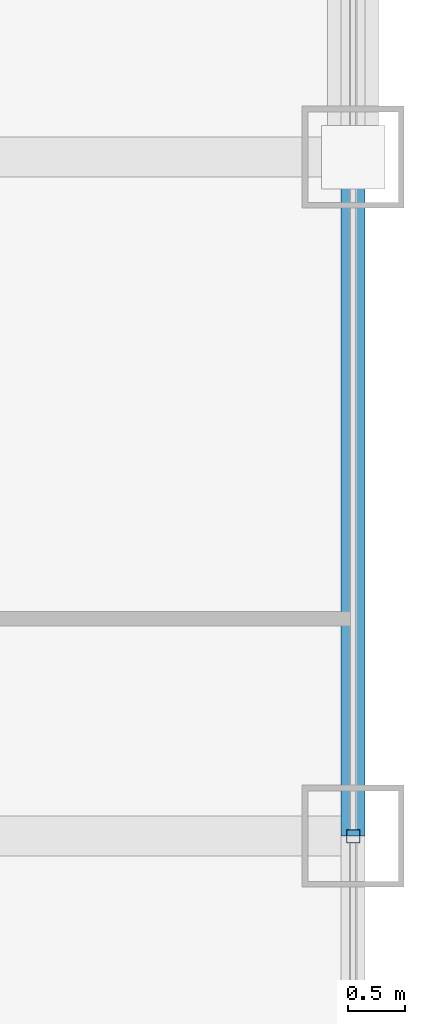
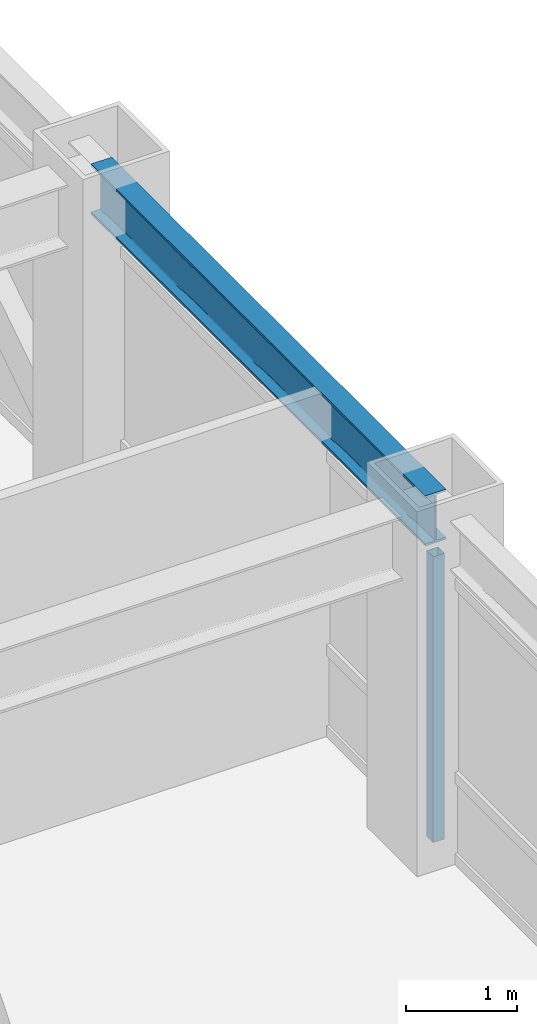
# One storey, part 10 of 27: 1 beam, 1 member, 1 element without a shape of its own.
"""IFC4 building model written with IfcOpenShell, lengths in metres."""

import ifcopenshell
import ifcopenshell.guid

model = None  # the IFC model being written
_history = None  # IfcOwnerHistory: only IFC2X3 demands one
_inside = {}  # id of a spatial element -> (the spatial element, [elements in it])
_under = {}  # id of a project, library or spatial element -> (it, [spatial elements below it])
_declared = {}  # id of a project -> (the project, [libraries it declares])
_typed = {}  # id of a type object -> (the type object, [elements of that type])
_made_of = {}  # id of a material, layer set ... -> (it, [elements and type objects made of it])


def new_model(schema):
    """Start an empty IFC model of exactly this schema.

    Asked for "IFC4X3", IfcOpenShell would pick the latest addendum, in which some entities
    have other attributes; the version numbers below select the first issue.
    IFC2X3 requires an IfcOwnerHistory on every rooted entity: one is made here for all.
    """
    global model, _history
    if schema == "IFC4X3":
        model = ifcopenshell.file(schema_version=(4, 3, 0, 0))
    else:
        model = ifcopenshell.file(schema=schema)
    _inside.clear()
    _under.clear()
    _declared.clear()
    _typed.clear()
    _made_of.clear()
    _history = None
    if model.schema == "IFC2X3":
        org = make("IfcOrganization", Name="unknown")
        user = make(
            "IfcPersonAndOrganization",
            ThePerson=make("IfcPerson", FamilyName="unknown"),
            TheOrganization=org,
        )
        app = make(
            "IfcApplication",
            ApplicationDeveloper=org,
            Version="unknown",
            ApplicationFullName="unknown",
            ApplicationIdentifier="unknown",
        )
        _history = make(
            "IfcOwnerHistory",
            OwningUser=user,
            OwningApplication=app,
            ChangeAction="ADDED",
            CreationDate=0,
        )
    return model


def make(cls, **values):
    """One entity of the class cls with the attributes given. An attribute that is None is left unset."""
    return model.create_entity(
        cls, **{name: value for name, value in values.items() if value is not None}
    )


def rooted(cls, **values):
    """An entity with a GlobalId (a new one), such as an element, a storey or a relation."""
    return make(cls, GlobalId=ifcopenshell.guid.new(), OwnerHistory=_history, **values)


def si_unit(unit_type, name, prefix=None):
    """IfcSIUnit, for example si_unit("LENGTHUNIT", "METRE", prefix="MILLI")."""
    return make("IfcSIUnit", UnitType=unit_type, Prefix=prefix, Name=name)


def assignment(units):
    """IfcUnitAssignment: the units of a project."""
    return None if units is None else make("IfcUnitAssignment", Units=units)


def point(xyz):
    """IfcCartesianPoint."""
    return None if xyz is None else make("IfcCartesianPoint", Coordinates=xyz)


def direction(xyz):
    """IfcDirection."""
    return None if xyz is None else make("IfcDirection", DirectionRatios=xyz)


def frame(location, z_axis=None, x_axis=None):
    """IfcAxis2Placement3D, a coordinate frame: its origin and axes. An axis left out is left unset."""
    return make(
        "IfcAxis2Placement3D",
        Location=point(location),
        Axis=direction(z_axis),
        RefDirection=direction(x_axis),
    )


def frame_2d(location, x_axis=None):
    """IfcAxis2Placement2D, a coordinate frame in the plane: its origin and x axis."""
    return make(
        "IfcAxis2Placement2D", Location=point(location), RefDirection=direction(x_axis)
    )


def origin():
    """The frame at (0, 0, 0) with its axes left unset."""
    return frame((0.0, 0.0, 0.0))


def origin_2d():
    """The frame at (0, 0) in the plane with its x axis left unset."""
    return frame_2d((0.0, 0.0))


def place(relative_to, where):
    """IfcLocalPlacement: puts the frame where relative to a parent placement (None: the world)."""
    return make(
        "IfcLocalPlacement", PlacementRelTo=relative_to, RelativePlacement=where
    )


def context(
    kind, dimensions, precision=None, world=None, true_north=None, identifier=None
):
    """IfcGeometricRepresentationContext, for example the 3D "Model" context."""
    return make(
        "IfcGeometricRepresentationContext",
        ContextIdentifier=identifier,
        ContextType=kind,
        CoordinateSpaceDimension=dimensions,
        Precision=precision,
        WorldCoordinateSystem=world,
        TrueNorth=true_north,
    )


def subcontext(parent, identifier, kind, view, scale=None):
    """IfcGeometricRepresentationSubContext, for example "Body" below "Model"."""
    return make(
        "IfcGeometricRepresentationSubContext",
        ContextIdentifier=identifier,
        ContextType=kind,
        ParentContext=parent,
        TargetScale=scale,
        TargetView=view,
    )


def project(units=None, contexts=None):
    """IfcProject with its units and contexts."""
    return rooted(
        "IfcProject",
        Name="project",
        RepresentationContexts=contexts,
        UnitsInContext=assignment(units),
    )


def spatial(cls, under=None, at=None, **own):
    """A site, building, storey or space (cls), placed at a placement, below another one or the project."""
    s = rooted(cls, ObjectPlacement=at, **own)
    if under is not None:
        _under.setdefault(under.id(), (under, []))[1].append(s)
    return s


def profile(cls, at=None, kind="AREA", **sizes):
    """A parametric profile (cls). Its sizes go by their IFC names, for example OverallWidth=200.0."""
    return make(cls, ProfileType=kind, Position=at, **sizes)


def hollow_rectangle(**sizes):
    """IfcRectangleHollowProfileDef."""
    return profile("IfcRectangleHollowProfileDef", **sizes)


def i_section(**sizes):
    """IfcIShapeProfileDef."""
    return profile("IfcIShapeProfileDef", **sizes)


def extrude(swept, where, along, depth):
    """IfcExtrudedAreaSolid: the profile swept, set in the frame where, extruded along a direction by depth."""
    return make(
        "IfcExtrudedAreaSolid",
        SweptArea=swept,
        Position=where,
        ExtrudedDirection=direction(along),
        Depth=depth,
    )


def shape(context_of_items, identifier, shape_type, items):
    """IfcShapeRepresentation: the items that make up one representation, for example the "Body"."""
    return make(
        "IfcShapeRepresentation",
        ContextOfItems=context_of_items,
        RepresentationIdentifier=identifier,
        RepresentationType=shape_type,
        Items=items,
    )


def source(mapping_origin, context_of_items, identifier, shape_type, items):
    """IfcRepresentationMap: a shape defined once, which mapped items show again and again."""
    return make(
        "IfcRepresentationMap",
        MappingOrigin=mapping_origin,
        MappedRepresentation=shape(context_of_items, identifier, shape_type, items),
    )


def transform(
    local_origin,
    x_axis=None,
    y_axis=None,
    z_axis=None,
    scale=None,
    scale2=None,
    scale3=None,
    uniform=True,
):
    """IfcCartesianTransformationOperator3D, or its non-uniform kind. x_axis, y_axis, z_axis: its Axis1, 2, 3."""
    if uniform:
        return make(
            "IfcCartesianTransformationOperator3D",
            Axis1=direction(x_axis),
            Axis2=direction(y_axis),
            LocalOrigin=point(local_origin),
            Scale=scale,
            Axis3=direction(z_axis),
        )
    return make(
        "IfcCartesianTransformationOperator3DnonUniform",
        Axis1=direction(x_axis),
        Axis2=direction(y_axis),
        LocalOrigin=point(local_origin),
        Scale=scale,
        Axis3=direction(z_axis),
        Scale2=scale2,
        Scale3=scale3,
    )


def mapped(mapping_source, mapping_target):
    """IfcMappedItem: shows the shape of a source again, moved by a transform."""
    return make(
        "IfcMappedItem", MappingSource=mapping_source, MappingTarget=mapping_target
    )


def material(Name=None, Category=None):
    """IfcMaterial."""
    return make("IfcMaterial", Name=Name, Category=Category)


def material_profile(
    of_material, cross_section, Name=None, Category=None, Priority=None
):
    """IfcMaterialProfile: a cross section and its material."""
    return make(
        "IfcMaterialProfile",
        Name=Name,
        Material=of_material,
        Profile=cross_section,
        Priority=Priority,
        Category=Category,
    )


def profile_set(profiles, Name=None, composite=None):
    """IfcMaterialProfileSet."""
    return make(
        "IfcMaterialProfileSet",
        Name=Name,
        MaterialProfiles=profiles,
        CompositeProfile=composite,
    )


def made_of(thing, what):
    """Note that an element or type object is made of a material, layer set ...; save() writes the relation."""
    if what is not None:
        _made_of.setdefault(what.id(), (what, []))[1].append(thing)
    return thing


def type_object(cls, material=None, **own):
    """A type object (cls), such as IfcWallType, which elements share."""
    return made_of(rooted(cls, **own), material)


def element(
    cls,
    number,
    at=None,
    inside=None,
    cuts=None,
    type_object=None,
    material=None,
    context=None,
    identifier="Body",
    shape_type=None,
    held_by="IfcProductDefinitionShape",
    body=None,
    shapes=None,
    **own,
):
    """One element of the class cls, such as IfcWall. Its Tag is "e" and its number.

    at: its placement. inside: the storey or other place that contains it. cuts: it is an
    opening in that element (IfcRelVoidsElement). A single representation is given by context,
    identifier, shape_type and body (its items); several are given by shapes. held_by: the class
    of the entity that holds the representations. save() writes the other relations.
    """
    e = rooted(cls, Tag="e%d" % number, ObjectPlacement=at, **own)
    if body is not None:
        shapes = [shape(context, identifier, shape_type, body)]
    if shapes is not None:
        e.Representation = make(held_by, Representations=shapes)
    if inside is not None:
        _inside.setdefault(inside.id(), (inside, []))[1].append(e)
    if cuts is not None:
        rooted(
            "IfcRelVoidsElement", RelatingBuildingElement=cuts, RelatedOpeningElement=e
        )
    if type_object is not None:
        _typed.setdefault(type_object.id(), (type_object, []))[1].append(e)
    return made_of(e, material)


def aggregate(whole, parts):
    """IfcRelAggregates: a whole, such as a stair, and the parts it consists of."""
    return rooted("IfcRelAggregates", RelatingObject=whole, RelatedObjects=parts)


def save(model, path):
    """Write the relations noted so far, then the file.

    IfcRelAggregates (storeys below a building ...), IfcRelContainedInSpatialStructure (elements
    in a storey), IfcRelDefinesByType, IfcRelAssociatesMaterial and IfcRelDeclares: one each for
    every whole, place, type object, material and project.
    """
    for whole, parts in _under.values():
        aggregate(whole, parts)
    for where, things in _inside.values():
        rooted(
            "IfcRelContainedInSpatialStructure",
            RelatedElements=things,
            RelatingStructure=where,
        )
    for kind, things in _typed.values():
        rooted("IfcRelDefinesByType", RelatedObjects=things, RelatingType=kind)
    for what, things in _made_of.values():
        rooted("IfcRelAssociatesMaterial", RelatedObjects=things, RelatingMaterial=what)
    for by, libraries in _declared.values():
        rooted("IfcRelDeclares", RelatingContext=by, RelatedDefinitions=libraries)
    model.write(path)


model = new_model("IFC4")

# Units and contexts
model_context = context("Model", 3, precision=1e-05, world=origin(), true_north=direction((0.0, 1.0)))
body_context = subcontext(model_context, "Body", "Model", "MODEL_VIEW")
ifc_project = project(units=[si_unit("LENGTHUNIT", "METRE"), si_unit("AREAUNIT", "SQUARE_METRE"), si_unit("VOLUMEUNIT", "CUBIC_METRE"), si_unit("PLANEANGLEUNIT", "RADIAN"), si_unit("MASSUNIT", "GRAM", prefix="KILO")], contexts=[model_context])

# Site, building, storey
site_placement = place(None, origin())
site = spatial("IfcSite", under=ifc_project, at=site_placement, CompositionType="ELEMENT")
building_placement = place(site_placement, origin())
building = spatial("IfcBuilding", under=site, at=building_placement, Name="Khorayat Bourse Tower", CompositionType="ELEMENT")
storey_placement = place(building_placement, frame((0.0, 0.0, 313.5)))
storey = spatial("IfcBuildingStorey", under=building, at=storey_placement, Name="L74", CompositionType="ELEMENT", Elevation=313.5)

# Beam
ifc_material_1 = material(Name="Steel ASTM A992 Grade 50", Category="steel")
ifc_material_profile_1 = material_profile(ifc_material_1, i_section(OverallWidth=0.214111328125, OverallDepth=0.549072265625, WebThickness=0.0146484375, FlangeThickness=0.023681640625, FilletRadius=0.013916015625, at=origin_2d()), Name="W530X138")
ifc_profile_set_1 = profile_set([ifc_material_profile_1], Name="Steel ASTM A992 Grade 50")
beam_type = type_object("IfcBeamType", Name="BM-SPAN-530", PredefinedType="SPANDREL", material=ifc_profile_set_1)
shared_shape_1 = source(origin(), body_context, "Body", "SweptSolid", [
    extrude(i_section(OverallWidth=0.214111328125, OverallDepth=0.549072265625, WebThickness=0.0146484375, FlangeThickness=0.023681640625, FilletRadius=0.013916015625, at=origin_2d()), origin(), (0.0, 0.0, 1.0), 6.0),
])
beam_placement = place(storey_placement, frame((28.0, 0.0, 3.505615234375), z_axis=(0.0, 1.0, 0.0), x_axis=(-1.0, 0.0, 0.0)))
element("IfcBeam", 1, at=beam_placement, inside=storey, type_object=beam_type, Name="L74 BM-SPAN-530 BM-L74-SPN-038", PredefinedType="SPANDREL", context=body_context, shape_type="MappedRepresentation", body=[
    mapped(shared_shape_1, transform((0.0, 0.0, 0.0), scale=1.0)),
])

# Curtain wall, member
ifc_material_2 = material(Name="Aluminium EN AW-6063 T6", Category="aluminium")
curtain_wall_type = type_object("IfcCurtainWallType", Name="CW-SYS-04", PredefinedType="NOTDEFINED", material=ifc_material_2)
curtain_wall_placement = place(storey_placement, origin())
curtain_wall = element("IfcCurtainWall", 2, at=curtain_wall_placement, inside=storey, type_object=curtain_wall_type, Name="L74 Curtain Wall CW-L74-E1", PredefinedType="NOTDEFINED")
ifc_material_profile_2 = material_profile(ifc_material_2, hollow_rectangle(XDim=0.1201171875, YDim=0.1201171875, WallThickness=0.0048828125, at=origin_2d()), Name="ALU 120x120x5")
ifc_profile_set_2 = profile_set([ifc_material_profile_2], Name="Aluminium EN AW-6063 T6")
member_type = type_object("IfcMemberType", Name="CWM-VERT-120", PredefinedType="MULLION", material=ifc_profile_set_2)
shared_shape_2 = source(origin(), body_context, "Body", "SweptSolid", [
    extrude(hollow_rectangle(XDim=0.1201171875, YDim=0.1201171875, WallThickness=0.0048828125, at=origin_2d()), origin(), (0.0, 0.0, 1.0), 3.1298828125),
])
member_placement = place(storey_placement, frame((28.0, 0.0, 0.0), z_axis=(0.0, 0.0, 1.0), x_axis=(-1.0, 0.0, 0.0)))
member = element("IfcMember", 3, at=member_placement, type_object=member_type, Name="CW-L74-E1 Vertical Mullion 2", PredefinedType="MULLION", context=body_context, shape_type="MappedRepresentation", body=[
    mapped(shared_shape_2, transform((0.0, 0.0, 0.0), scale=1.0)),
])
aggregate(curtain_wall, [member])

save(model, "model.ifc")
